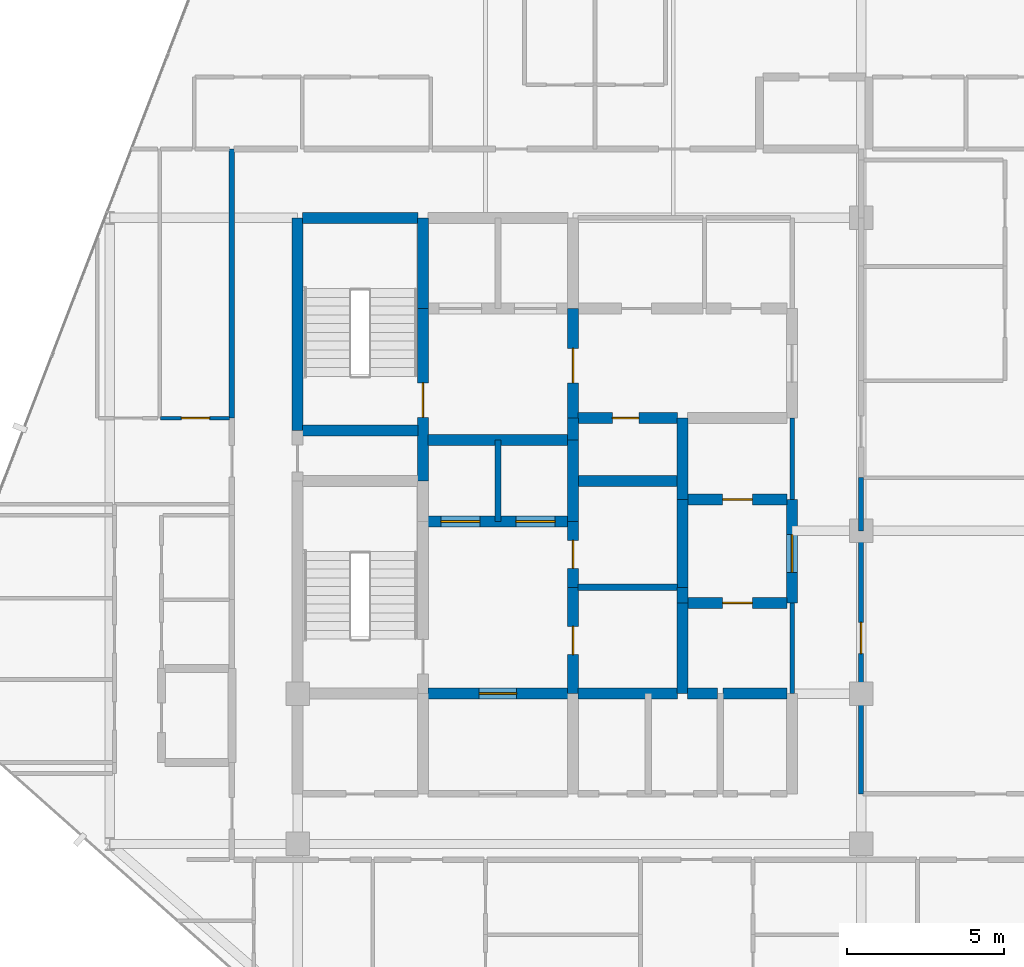
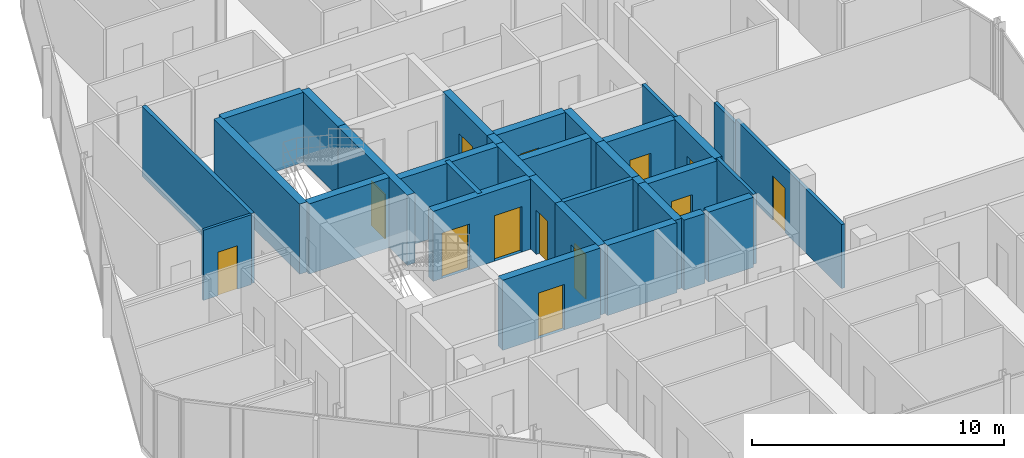
# One storey, part 24 of 28: 33 walls, 13 doors, 13 openings.
"""IFC4 building model written with IfcOpenShell, lengths in metres."""

from ifc_helpers import new_model, si_unit, direction, frame, frame_2d, origin, place, context, subcontext, project, spatial, rectangle, extrude, material, layer, layer_set, type_object, element, fill, save


model = new_model("IFC4")

# Units and contexts
model_context = context("Model", 3, precision=1e-05, world=origin(), true_north=direction((0.0, 1.0)))
body_context = subcontext(model_context, "Body", "Model", "MODEL_VIEW")
ifc_project = project(units=[si_unit("LENGTHUNIT", "METRE"), si_unit("AREAUNIT", "SQUARE_METRE"), si_unit("VOLUMEUNIT", "CUBIC_METRE"), si_unit("PLANEANGLEUNIT", "RADIAN"), si_unit("MASSUNIT", "GRAM", prefix="KILO")], contexts=[model_context])

# Site, building, storey
site_placement = place(None, origin())
site = spatial("IfcSite", under=ifc_project, at=site_placement, CompositionType="ELEMENT")
building_placement = place(site_placement, origin())
building = spatial("IfcBuilding", under=site, at=building_placement, Name="Keshet Zoharim Tower", CompositionType="ELEMENT")
storey_placement = place(building_placement, frame((0.0, 0.0, 258.39990234375)))
storey = spatial("IfcBuildingStorey", under=building, at=storey_placement, Name="L64", CompositionType="ELEMENT", Elevation=258.39990234375)

# Walls
ifc_material_1 = material(Name="Gypsum Plasterboard", Category="gypsum")
ifc_layer_1 = layer(ifc_material_1, 0.14990234375)
ifc_layer_set_1 = layer_set([ifc_layer_1], Name="Gypsum Plasterboard")
wall_type_1 = type_object("IfcWallType", Name="WL-CLIN-150", PredefinedType="STANDARD", material=ifc_layer_set_1)
wall_1_placement = place(storey_placement, frame((30.800048828125, 22.699951171875, 0.0), z_axis=(0.0, 0.0, 1.0), x_axis=(0.0, 1.0, 0.0)))
element("IfcWall", 1, at=wall_1_placement, inside=storey, type_object=wall_type_1, Name="L64 Interior Wall 068", PredefinedType="STANDARD", context=body_context, shape_type="SweptSolid", body=[
    extrude(rectangle(XDim=2.900146484375, YDim=0.14990234375, at=frame_2d((1.4501953125, 0.0))), origin(), (0.0, 0.0, 1.0), 3.39013671875),
])
wall_2_placement = place(storey_placement, frame((30.800048828125, 28.89990234375, 0.0), z_axis=(0.0, 0.0, 1.0), x_axis=(0.0, 1.0, 0.0)))
element("IfcWall", 2, at=wall_2_placement, inside=storey, type_object=wall_type_1, Name="L64 Interior Wall 070", PredefinedType="STANDARD", context=body_context, shape_type="SweptSolid", body=[
    extrude(rectangle(XDim=2.60009765625, YDim=0.14990234375, at=frame_2d((1.300048828125, 0.0))), origin(), (0.0, 0.0, 1.0), 3.39013671875),
])

# Wall, opening, door
wall_3_placement = place(storey_placement, frame((33.0, 19.5, 0.0), z_axis=(0.0, 0.0, 1.0), x_axis=(0.0, 1.0, 0.0)))
wall_3 = element("IfcWall", 3, at=wall_3_placement, inside=storey, type_object=wall_type_1, Name="L64 Interior Wall 074", PredefinedType="STANDARD", context=body_context, shape_type="SweptSolid", body=[
    extrude(rectangle(XDim=8.39990234375, YDim=0.14990234375, at=frame_2d((4.199951171875, 0.0))), origin(), (0.0, 0.0, 1.0), 3.10009765625),
])
opening_1_placement = place(wall_3_placement, frame((4.47998046875, 0.0, 0.0)))
opening_1 = element("IfcOpeningElement", 4, at=opening_1_placement, cuts=wall_3, Name="Opening D-F310", PredefinedType="OPENING", context=body_context, shape_type="SweptSolid", body=[
    extrude(rectangle(XDim=1.0, YDim=2.14990234375, at=frame_2d((0.5, 1.074951171875))), frame((0.0, 0.0849609375, 0.0), z_axis=(0.0, -1.0, 0.0), x_axis=(1.0, 0.0, 0.0)), (0.0, 0.0, 1.0), 0.169921875),
])
ifc_material_2 = material(Name="Hardwood Timber", Category="wood")
door_type_1 = type_object("IfcDoorType", Name="DR-FD30-100", OperationType="NOTDEFINED", PredefinedType="DOOR", material=ifc_material_2)
door_1_placement = place(opening_1_placement, origin())
door_1 = element("IfcDoor", 5, at=door_1_placement, inside=storey, type_object=door_type_1, Name="L64 South West Residents Services Suite Door 1", OperationType="SINGLE_SWING_RIGHT", OverallHeight=2.14990234375, OverallWidth=1.0, PredefinedType="DOOR", context=body_context, shape_type="SweptSolid", body=[
    extrude(rectangle(XDim=1.0, YDim=2.14990234375, at=frame_2d((0.5, 1.074951171875))), frame((0.0, 0.02490234375, 0.0), z_axis=(0.0, -1.0, 0.0), x_axis=(1.0, 0.0, 0.0)), (0.0, 0.0, 1.0), 0.050048828125),
])
fill(opening_1, door_1)

# Walls
wall_4_placement = place(storey_placement, frame((33.0, 27.89990234375, 0.0), z_axis=(0.0, 0.0, 1.0), x_axis=(0.0, 1.0, 0.0)))
element("IfcWall", 6, at=wall_4_placement, inside=storey, type_object=wall_type_1, Name="L64 Interior Wall 074 Part 2", PredefinedType="STANDARD", context=body_context, shape_type="SweptSolid", body=[
    extrude(rectangle(XDim=1.7001953125, YDim=0.14990234375, at=frame_2d((0.85009765625, 0.0))), origin(), (0.0, 0.0, 1.0), 2.89013671875),
])
ifc_material_3 = material(Name="Concrete C60/75", Category="concrete")
ifc_layer_2 = layer(ifc_material_3, 0.35009765625)
ifc_layer_set_2 = layer_set([ifc_layer_2], Name="Concrete C60/75")
wall_type_2 = type_object("IfcWallType", Name="WL-CORE-350", PredefinedType="SHEAR", material=ifc_layer_set_2)
wall_5_placement = place(storey_placement, frame((15.0, 31.10009765625, 0.0), z_axis=(0.0, 0.0, 1.0), x_axis=(0.0, 1.0, 0.0)))
element("IfcWall", 7, at=wall_5_placement, inside=storey, type_object=wall_type_2, Name="L64 Core Shear Wall 023", PredefinedType="SHEAR", context=body_context, shape_type="SweptSolid", body=[
    extrude(rectangle(XDim=6.7998046875, YDim=0.35009765625, at=frame_2d((3.39990234375, 0.0))), origin(), (0.0, 0.0, 1.0), 3.39013671875),
])

# Wall, opening, door
wall_6_placement = place(storey_placement, frame((19.0, 29.5, 0.0), z_axis=(0.0, 0.0, 1.0), x_axis=(0.0, 1.0, 0.0)))
wall_6 = element("IfcWall", 8, at=wall_6_placement, inside=storey, type_object=wall_type_2, Name="L64 Core Shear Wall 030", PredefinedType="SHEAR", context=body_context, shape_type="SweptSolid", body=[
    extrude(rectangle(XDim=5.5, YDim=0.35009765625, at=frame_2d((2.75, 0.0))), origin(), (0.0, 0.0, 1.0), 3.39013671875),
])
opening_2_placement = place(wall_6_placement, frame((2.02490234375, 0.0, 0.0)))
opening_2 = element("IfcOpeningElement", 9, at=opening_2_placement, cuts=wall_6, Name="Opening D-F611", PredefinedType="OPENING", context=body_context, shape_type="SweptSolid", body=[
    extrude(rectangle(XDim=1.10009765625, YDim=2.14990234375, at=frame_2d((0.550048828125, 1.074951171875))), frame((0.0, 0.18505859375, 0.0), z_axis=(0.0, -1.0, 0.0), x_axis=(1.0, 0.0, 0.0)), (0.0, 0.0, 1.0), 0.3701171875),
])
door_type_2 = type_object("IfcDoorType", Name="DR-FD60-110", OperationType="NOTDEFINED", PredefinedType="DOOR", material=ifc_material_2)
door_2_placement = place(opening_2_placement, origin())
door_2 = element("IfcDoor", 10, at=door_2_placement, inside=storey, type_object=door_type_2, Name="L64 Exit Stair ST-02 Fire Door", OperationType="SINGLE_SWING_RIGHT", OverallHeight=2.14990234375, OverallWidth=1.10009765625, PredefinedType="DOOR", context=body_context, shape_type="SweptSolid", body=[
    extrude(rectangle(XDim=1.10009765625, YDim=2.14990234375, at=frame_2d((0.550048828125, 1.074951171875))), frame((0.0, 0.02490234375, 0.0), z_axis=(0.0, -1.0, 0.0), x_axis=(1.0, 0.0, 0.0)), (0.0, 0.0, 1.0), 0.050048828125),
])
fill(opening_2, door_2)

# Wall
wall_7_placement = place(storey_placement, frame((19.0, 35.0, 0.0), z_axis=(0.0, 0.0, 1.0), x_axis=(0.0, 1.0, 0.0)))
element("IfcWall", 11, at=wall_7_placement, inside=storey, type_object=wall_type_2, Name="L64 Core Shear Wall 031", PredefinedType="SHEAR", context=body_context, shape_type="SweptSolid", body=[
    extrude(rectangle(XDim=2.89990234375, YDim=0.35009765625, at=frame_2d((1.449951171875, 0.0))), origin(), (0.0, 0.0, 1.0), 3.39013671875),
])

# Wall, opening, door
wall_8_placement = place(storey_placement, frame((23.800048828125, 22.699951171875, 0.0), z_axis=(0.0, 0.0, 1.0), x_axis=(0.0, 1.0, 0.0)))
wall_8 = element("IfcWall", 12, at=wall_8_placement, inside=storey, type_object=wall_type_2, Name="L64 Core Shear Wall 042", PredefinedType="SHEAR", context=body_context, shape_type="SweptSolid", body=[
    extrude(rectangle(XDim=3.400146484375, YDim=0.35009765625, at=frame_2d((1.7001953125, 0.0))), origin(), (0.0, 0.0, 1.0), 3.39013671875),
])
opening_3_placement = place(wall_8_placement, frame((1.25, 0.0, 0.0)))
opening_3 = element("IfcOpeningElement", 13, at=opening_3_placement, cuts=wall_8, Name="Opening D-F690", PredefinedType="OPENING", context=body_context, shape_type="SweptSolid", body=[
    extrude(rectangle(XDim=0.89990234375, YDim=2.14990234375, at=frame_2d((0.449951171875, 1.074951171875))), frame((0.0, 0.18505859375, 0.0), z_axis=(0.0, -1.0, 0.0), x_axis=(1.0, 0.0, 0.0)), (0.0, 0.0, 1.0), 0.3701171875),
])
door_type_3 = type_object("IfcDoorType", Name="DR-FD60-090", OperationType="NOTDEFINED", PredefinedType="DOOR", material=ifc_material_2)
door_3_placement = place(opening_3_placement, origin())
door_3 = element("IfcDoor", 14, at=door_3_placement, inside=storey, type_object=door_type_3, Name="L64 Core Linen Store Door", OperationType="SINGLE_SWING_LEFT", OverallHeight=2.14990234375, OverallWidth=0.89990234375, PredefinedType="DOOR", context=body_context, shape_type="SweptSolid", body=[
    extrude(rectangle(XDim=0.89990234375, YDim=2.14990234375, at=frame_2d((0.449951171875, 1.074951171875))), frame((0.0, 0.02490234375, 0.0), z_axis=(0.0, -1.0, 0.0), x_axis=(1.0, 0.0, 0.0)), (0.0, 0.0, 1.0), 0.050048828125),
])
fill(opening_3, door_3)

wall_9_placement = place(storey_placement, frame((23.800048828125, 26.10009765625, 0.0), z_axis=(0.0, 0.0, 1.0), x_axis=(0.0, 1.0, 0.0)))
wall_9 = element("IfcWall", 15, at=wall_9_placement, inside=storey, type_object=wall_type_2, Name="L64 Core Shear Wall 043", PredefinedType="SHEAR", context=body_context, shape_type="SweptSolid", body=[
    extrude(rectangle(XDim=2.099853515625, YDim=0.35009765625, at=frame_2d((1.0498046875, 0.0))), origin(), (0.0, 0.0, 1.0), 3.39013671875),
])
opening_4_placement = place(wall_9_placement, frame((0.60009765625, 0.0, 0.0)))
opening_4 = element("IfcOpeningElement", 16, at=opening_4_placement, cuts=wall_9, Name="Opening D-F690", PredefinedType="OPENING", context=body_context, shape_type="SweptSolid", body=[
    extrude(rectangle(XDim=0.89990234375, YDim=2.14990234375, at=frame_2d((0.449951171875, 1.074951171875))), frame((0.0, 0.18505859375, 0.0), z_axis=(0.0, -1.0, 0.0), x_axis=(1.0, 0.0, 0.0)), (0.0, 0.0, 1.0), 0.3701171875),
])
door_4_placement = place(opening_4_placement, origin())
door_4 = element("IfcDoor", 17, at=door_4_placement, inside=storey, type_object=door_type_3, Name="L64 Core Electrical Room Door", OperationType="SINGLE_SWING_RIGHT", OverallHeight=2.14990234375, OverallWidth=0.89990234375, PredefinedType="DOOR", context=body_context, shape_type="SweptSolid", body=[
    extrude(rectangle(XDim=0.89990234375, YDim=2.14990234375, at=frame_2d((0.449951171875, 1.074951171875))), frame((0.0, 0.02490234375, 0.0), z_axis=(0.0, -1.0, 0.0), x_axis=(1.0, 0.0, 0.0)), (0.0, 0.0, 1.0), 0.050048828125),
])
fill(opening_4, door_4)

# Walls
wall_10_placement = place(storey_placement, frame((23.800048828125, 28.199951171875, 0.0), z_axis=(0.0, 0.0, 1.0), x_axis=(0.0, 1.0, 0.0)))
element("IfcWall", 18, at=wall_10_placement, inside=storey, type_object=wall_type_2, Name="L64 Core Shear Wall 044", PredefinedType="SHEAR", context=body_context, shape_type="SweptSolid", body=[
    extrude(rectangle(XDim=2.60009765625, YDim=0.35009765625, at=frame_2d((1.300048828125, 0.0))), origin(), (0.0, 0.0, 1.0), 3.39013671875),
])
wall_11_placement = place(storey_placement, frame((23.800048828125, 30.800048828125, 0.0), z_axis=(0.0, 0.0, 1.0), x_axis=(0.0, 1.0, 0.0)))
element("IfcWall", 19, at=wall_11_placement, inside=storey, type_object=wall_type_2, Name="L64 Core Shear Wall 045", PredefinedType="SHEAR", context=body_context, shape_type="SweptSolid", body=[
    extrude(rectangle(XDim=0.699951171875, YDim=0.35009765625, at=frame_2d((0.35009765625, 0.0))), origin(), (0.0, 0.0, 1.0), 3.39013671875),
])

# Wall, opening, door
wall_12_placement = place(storey_placement, frame((23.800048828125, 31.5, 0.0), z_axis=(0.0, 0.0, 1.0), x_axis=(0.0, 1.0, 0.0)))
wall_12 = element("IfcWall", 20, at=wall_12_placement, inside=storey, type_object=wall_type_2, Name="L64 Core Shear Wall 046", PredefinedType="SHEAR", context=body_context, shape_type="SweptSolid", body=[
    extrude(rectangle(XDim=3.5, YDim=0.35009765625, at=frame_2d((1.75, 0.0))), origin(), (0.0, 0.0, 1.0), 3.39013671875),
])
opening_5_placement = place(wall_12_placement, frame((1.126953125, 0.0, 0.0)))
opening_5 = element("IfcOpeningElement", 21, at=opening_5_placement, cuts=wall_12, Name="Opening D-F611", PredefinedType="OPENING", context=body_context, shape_type="SweptSolid", body=[
    extrude(rectangle(XDim=1.10009765625, YDim=2.14990234375, at=frame_2d((0.550048828125, 1.074951171875))), frame((0.0, 0.18505859375, 0.0), z_axis=(0.0, -1.0, 0.0), x_axis=(1.0, 0.0, 0.0)), (0.0, 0.0, 1.0), 0.3701171875),
])
door_5_placement = place(opening_5_placement, origin())
door_5 = element("IfcDoor", 22, at=door_5_placement, inside=storey, type_object=door_type_2, Name="L64 Firefighting Lobby Fire Door", OperationType="SINGLE_SWING_LEFT", OverallHeight=2.14990234375, OverallWidth=1.10009765625, PredefinedType="DOOR", context=body_context, shape_type="SweptSolid", body=[
    extrude(rectangle(XDim=1.10009765625, YDim=2.14990234375, at=frame_2d((0.550048828125, 1.074951171875))), frame((0.0, 0.02490234375, 0.0), z_axis=(0.0, -1.0, 0.0), x_axis=(1.0, 0.0, 0.0)), (0.0, 0.0, 1.0), 0.050048828125),
])
fill(opening_5, door_5)

# Walls
wall_13_placement = place(storey_placement, frame((27.300048828125, 22.699951171875, 0.0), z_axis=(0.0, 0.0, 1.0), x_axis=(0.0, 1.0, 0.0)))
element("IfcWall", 23, at=wall_13_placement, inside=storey, type_object=wall_type_2, Name="L64 Core Shear Wall 055", PredefinedType="SHEAR", context=body_context, shape_type="SweptSolid", body=[
    extrude(rectangle(XDim=2.900146484375, YDim=0.35009765625, at=frame_2d((1.4501953125, 0.0))), origin(), (0.0, 0.0, 1.0), 3.39013671875),
])
wall_14_placement = place(storey_placement, frame((27.300048828125, 25.60009765625, 0.0), z_axis=(0.0, 0.0, 1.0), x_axis=(0.0, 1.0, 0.0)))
element("IfcWall", 24, at=wall_14_placement, inside=storey, type_object=wall_type_2, Name="L64 Core Shear Wall 056", PredefinedType="SHEAR", context=body_context, shape_type="SweptSolid", body=[
    extrude(rectangle(XDim=0.5, YDim=0.35009765625, at=frame_2d((0.25, 0.0))), origin(), (0.0, 0.0, 1.0), 3.39013671875),
])
wall_15_placement = place(storey_placement, frame((27.300048828125, 26.10009765625, 0.0), z_axis=(0.0, 0.0, 1.0), x_axis=(0.0, 1.0, 0.0)))
element("IfcWall", 25, at=wall_15_placement, inside=storey, type_object=wall_type_2, Name="L64 Core Shear Wall 057", PredefinedType="SHEAR", context=body_context, shape_type="SweptSolid", body=[
    extrude(rectangle(XDim=2.7998046875, YDim=0.35009765625, at=frame_2d((1.39990234375, 0.0))), origin(), (0.0, 0.0, 1.0), 3.39013671875),
])
wall_16_placement = place(storey_placement, frame((27.300048828125, 28.89990234375, 0.0), z_axis=(0.0, 0.0, 1.0), x_axis=(0.0, 1.0, 0.0)))
element("IfcWall", 26, at=wall_16_placement, inside=storey, type_object=wall_type_2, Name="L64 Core Shear Wall 058", PredefinedType="SHEAR", context=body_context, shape_type="SweptSolid", body=[
    extrude(rectangle(XDim=2.60009765625, YDim=0.35009765625, at=frame_2d((1.300048828125, 0.0))), origin(), (0.0, 0.0, 1.0), 3.39013671875),
])

# Wall, opening, door
wall_17_placement = place(storey_placement, frame((30.800048828125, 25.60009765625, 0.0), z_axis=(0.0, 0.0, 1.0), x_axis=(0.0, 1.0, 0.0)))
wall_17 = element("IfcWall", 27, at=wall_17_placement, inside=storey, type_object=wall_type_2, Name="L64 Core Shear Wall 069", PredefinedType="SHEAR", context=body_context, shape_type="SweptSolid", body=[
    extrude(rectangle(XDim=3.2998046875, YDim=0.35009765625, at=frame_2d((1.64990234375, 0.0))), origin(), (0.0, 0.0, 1.0), 3.39013671875),
])
opening_6_placement = place(wall_17_placement, frame((0.97802734375, 0.0, 0.0)))
opening_6 = element("IfcOpeningElement", 28, at=opening_6_placement, cuts=wall_17, Name="Opening D-F612", PredefinedType="OPENING", context=body_context, shape_type="SweptSolid", body=[
    extrude(rectangle(XDim=1.199951171875, YDim=2.199951171875, at=frame_2d((0.60009765625, 1.10009765625))), frame((0.0, 0.18505859375, 0.0), z_axis=(0.0, -1.0, 0.0), x_axis=(1.0, 0.0, 0.0)), (0.0, 0.0, 1.0), 0.3701171875),
])
door_type_4 = type_object("IfcDoorType", Name="DR-FD60-120", OperationType="NOTDEFINED", PredefinedType="DOOR", material=ifc_material_2)
door_6_placement = place(opening_6_placement, origin())
door_6 = element("IfcDoor", 29, at=door_6_placement, inside=storey, type_object=door_type_4, Name="L64 East Lift Lobby Fire Door", OperationType="SINGLE_SWING_RIGHT", OverallHeight=2.199951171875, OverallWidth=1.199951171875, PredefinedType="DOOR", context=body_context, shape_type="SweptSolid", body=[
    extrude(rectangle(XDim=1.199951171875, YDim=2.199951171875, at=frame_2d((0.60009765625, 1.10009765625))), frame((0.0, 0.02490234375, 0.0), z_axis=(0.0, -1.0, 0.0), x_axis=(1.0, 0.0, 0.0)), (0.0, 0.0, 1.0), 0.050048828125),
])
fill(opening_6, door_6)

wall_18_placement = place(storey_placement, frame((19.159912109375, 22.699951171875, 0.0), z_axis=(0.0, 0.0, 1.0), x_axis=(1.0, 0.0, 0.0)))
wall_18 = element("IfcWall", 30, at=wall_18_placement, inside=storey, type_object=wall_type_2, Name="L64 Core Shear Wall 124", PredefinedType="SHEAR", context=body_context, shape_type="SweptSolid", body=[
    extrude(rectangle(XDim=4.47998046875, YDim=0.35009765625, at=frame_2d((2.239990234375, 0.0))), origin(), (0.0, 0.0, 1.0), 3.39013671875),
])
opening_7_placement = place(wall_18_placement, frame((1.639892578125, 0.0, 0.0)))
opening_7 = element("IfcOpeningElement", 31, at=opening_7_placement, cuts=wall_18, Name="Opening D-F612", PredefinedType="OPENING", context=body_context, shape_type="SweptSolid", body=[
    extrude(rectangle(XDim=1.199951171875, YDim=2.199951171875, at=frame_2d((0.60009765625, 1.10009765625))), frame((0.0, 0.18505859375, 0.0), z_axis=(0.0, -1.0, 0.0), x_axis=(1.0, 0.0, 0.0)), (0.0, 0.0, 1.0), 0.3701171875),
])
door_7_placement = place(opening_7_placement, origin())
door_7 = element("IfcDoor", 32, at=door_7_placement, inside=storey, type_object=door_type_4, Name="L64 South Core Lobby Fire Door", OperationType="SINGLE_SWING_RIGHT", OverallHeight=2.199951171875, OverallWidth=1.199951171875, PredefinedType="DOOR", context=body_context, shape_type="SweptSolid", body=[
    extrude(rectangle(XDim=1.199951171875, YDim=2.199951171875, at=frame_2d((0.60009765625, 1.10009765625))), frame((0.0, 0.02490234375, 0.0), z_axis=(0.0, -1.0, 0.0), x_axis=(1.0, 0.0, 0.0)), (0.0, 0.0, 1.0), 0.050048828125),
])
fill(opening_7, door_7)

# Walls
wall_19_placement = place(storey_placement, frame((23.9599609375, 22.699951171875, 0.0), z_axis=(0.0, 0.0, 1.0), x_axis=(1.0, 0.0, 0.0)))
element("IfcWall", 33, at=wall_19_placement, inside=storey, type_object=wall_type_2, Name="L64 Core Shear Wall 125", PredefinedType="SHEAR", context=body_context, shape_type="SweptSolid", body=[
    extrude(rectangle(XDim=3.179931640625, YDim=0.35009765625, at=frame_2d((1.58984375, 0.0))), origin(), (0.0, 0.0, 1.0), 3.39013671875),
])
wall_20_placement = place(storey_placement, frame((27.4599609375, 22.699951171875, 0.0), z_axis=(0.0, 0.0, 1.0), x_axis=(1.0, 0.0, 0.0)))
element("IfcWall", 34, at=wall_20_placement, inside=storey, type_object=wall_type_2, Name="L64 Core Shear Wall 126", PredefinedType="SHEAR", context=body_context, shape_type="SweptSolid", body=[
    extrude(rectangle(XDim=0.955078125, YDim=0.35009765625, at=frame_2d((0.4775390625, 0.0))), origin(), (0.0, 0.0, 1.0), 3.39013671875),
])
wall_21_placement = place(storey_placement, frame((28.5849609375, 22.699951171875, 0.0), z_axis=(0.0, 0.0, 1.0), x_axis=(1.0, 0.0, 0.0)))
element("IfcWall", 35, at=wall_21_placement, inside=storey, type_object=wall_type_2, Name="L64 Core Shear Wall 127", PredefinedType="SHEAR", context=body_context, shape_type="SweptSolid", body=[
    extrude(rectangle(XDim=2.054931640625, YDim=0.35009765625, at=frame_2d((1.02734375, 0.0))), origin(), (0.0, 0.0, 1.0), 3.39013671875),
])

# Wall, opening, door
wall_22_placement = place(storey_placement, frame((27.4599609375, 25.60009765625, 0.0), z_axis=(0.0, 0.0, 1.0), x_axis=(1.0, 0.0, 0.0)))
wall_22 = element("IfcWall", 36, at=wall_22_placement, inside=storey, type_object=wall_type_2, Name="L64 Core Shear Wall 130", PredefinedType="SHEAR", context=body_context, shape_type="SweptSolid", body=[
    extrude(rectangle(XDim=3.179931640625, YDim=0.35009765625, at=frame_2d((1.58984375, 0.0))), origin(), (0.0, 0.0, 1.0), 3.39013671875),
])
opening_8_placement = place(wall_22_placement, frame((1.114990234375, 0.0, 0.0)))
opening_8 = element("IfcOpeningElement", 37, at=opening_8_placement, cuts=wall_22, Name="Opening D-F695", PredefinedType="OPENING", context=body_context, shape_type="SweptSolid", body=[
    extrude(rectangle(XDim=0.949951171875, YDim=2.14990234375, at=frame_2d((0.47509765625, 1.074951171875))), frame((0.0, 0.18505859375, 0.0), z_axis=(0.0, -1.0, 0.0), x_axis=(1.0, 0.0, 0.0)), (0.0, 0.0, 1.0), 0.3701171875),
])
door_type_5 = type_object("IfcDoorType", Name="DR-FD60-095", OperationType="NOTDEFINED", PredefinedType="DOOR", material=ifc_material_2)
door_8_placement = place(opening_8_placement, origin())
door_8 = element("IfcDoor", 38, at=door_8_placement, inside=storey, type_object=door_type_5, Name="L64 Study Alcove Door", OperationType="SINGLE_SWING_LEFT", OverallHeight=2.14990234375, OverallWidth=0.949951171875, PredefinedType="DOOR", context=body_context, shape_type="SweptSolid", body=[
    extrude(rectangle(XDim=0.949951171875, YDim=2.14990234375, at=frame_2d((0.47509765625, 1.074951171875))), frame((0.0, 0.02490234375, 0.0), z_axis=(0.0, -1.0, 0.0), x_axis=(1.0, 0.0, 0.0)), (0.0, 0.0, 1.0), 0.050048828125),
])
fill(opening_8, door_8)

# Wall, openings, doors
wall_23_placement = place(storey_placement, frame((19.159912109375, 28.199951171875, 0.0), z_axis=(0.0, 0.0, 1.0), x_axis=(1.0, 0.0, 0.0)))
wall_23 = element("IfcWall", 39, at=wall_23_placement, inside=storey, type_object=wall_type_2, Name="L64 Core Shear Wall 134", PredefinedType="SHEAR", context=body_context, shape_type="SweptSolid", body=[
    extrude(rectangle(XDim=4.47998046875, YDim=0.35009765625, at=frame_2d((2.239990234375, 0.0))), origin(), (0.0, 0.0, 1.0), 3.39013671875),
])
opening_9_placement = place(wall_23_placement, frame((0.4150390625, 0.0, 0.0)))
opening_9 = element("IfcOpeningElement", 40, at=opening_9_placement, cuts=wall_23, Name="Opening LD-01", PredefinedType="OPENING", context=body_context, shape_type="SweptSolid", body=[
    extrude(rectangle(XDim=1.25, YDim=2.199951171875, at=frame_2d((0.625, 1.10009765625))), frame((0.0, 0.18505859375, 0.0), z_axis=(0.0, -1.0, 0.0), x_axis=(1.0, 0.0, 0.0)), (0.0, 0.0, 1.0), 0.3701171875),
])
opening_10_placement = place(wall_23_placement, frame((2.81494140625, 0.0, 0.0)))
opening_10 = element("IfcOpeningElement", 41, at=opening_10_placement, cuts=wall_23, Name="Opening LD-01", PredefinedType="OPENING", context=body_context, shape_type="SweptSolid", body=[
    extrude(rectangle(XDim=1.25, YDim=2.199951171875, at=frame_2d((0.625, 1.10009765625))), frame((0.0, 0.18505859375, 0.0), z_axis=(0.0, -1.0, 0.0), x_axis=(1.0, 0.0, 0.0)), (0.0, 0.0, 1.0), 0.3701171875),
])
ifc_material_4 = material(Name="Steel S355", Category="steel")
door_type_6 = type_object("IfcDoorType", Name="DR-LD01-125", OperationType="DOUBLE_DOOR_SLIDING", PredefinedType="DOOR", material=ifc_material_4)
door_9_placement = place(opening_9_placement, origin())
door_9 = element("IfcDoor", 42, at=door_9_placement, inside=storey, type_object=door_type_6, Name="L64 Passenger Lift Landing Door LF-09", OperationType="DOUBLE_DOOR_SLIDING", OverallHeight=2.199951171875, OverallWidth=1.25, PredefinedType="DOOR", context=body_context, shape_type="SweptSolid", body=[
    extrude(rectangle(XDim=1.25, YDim=2.199951171875, at=frame_2d((0.625, 1.10009765625))), frame((0.0, 0.02490234375, 0.0), z_axis=(0.0, -1.0, 0.0), x_axis=(1.0, 0.0, 0.0)), (0.0, 0.0, 1.0), 0.050048828125),
])
fill(opening_9, door_9)
door_10_placement = place(opening_10_placement, origin())
door_10 = element("IfcDoor", 43, at=door_10_placement, inside=storey, type_object=door_type_6, Name="L64 Passenger Lift Landing Door LF-10", OperationType="DOUBLE_DOOR_SLIDING", OverallHeight=2.199951171875, OverallWidth=1.25, PredefinedType="DOOR", context=body_context, shape_type="SweptSolid", body=[
    extrude(rectangle(XDim=1.25, YDim=2.199951171875, at=frame_2d((0.625, 1.10009765625))), frame((0.0, 0.02490234375, 0.0), z_axis=(0.0, -1.0, 0.0), x_axis=(1.0, 0.0, 0.0)), (0.0, 0.0, 1.0), 0.050048828125),
])
fill(opening_10, door_10)

# Wall, opening, door
wall_24_placement = place(storey_placement, frame((27.4599609375, 28.89990234375, 0.0), z_axis=(0.0, 0.0, 1.0), x_axis=(1.0, 0.0, 0.0)))
wall_24 = element("IfcWall", 44, at=wall_24_placement, inside=storey, type_object=wall_type_2, Name="L64 Core Shear Wall 139", PredefinedType="SHEAR", context=body_context, shape_type="SweptSolid", body=[
    extrude(rectangle(XDim=3.179931640625, YDim=0.35009765625, at=frame_2d((1.58984375, 0.0))), origin(), (0.0, 0.0, 1.0), 3.39013671875),
])
opening_11_placement = place(wall_24_placement, frame((1.114990234375, 0.0, 0.0)))
opening_11 = element("IfcOpeningElement", 45, at=opening_11_placement, cuts=wall_24, Name="Opening D-F695", PredefinedType="OPENING", context=body_context, shape_type="SweptSolid", body=[
    extrude(rectangle(XDim=0.949951171875, YDim=2.14990234375, at=frame_2d((0.47509765625, 1.074951171875))), frame((0.0, 0.18505859375, 0.0), z_axis=(0.0, -1.0, 0.0), x_axis=(1.0, 0.0, 0.0)), (0.0, 0.0, 1.0), 0.3701171875),
])
door_11_placement = place(opening_11_placement, frame((0.949951171875, 0.0, 0.0), z_axis=(0.0, 0.0, 1.0), x_axis=(-1.0, 0.0, 0.0)))
door_11 = element("IfcDoor", 46, at=door_11_placement, inside=storey, type_object=door_type_5, Name="L64 Parcel Store Door", OperationType="SINGLE_SWING_RIGHT", OverallHeight=2.14990234375, OverallWidth=0.949951171875, PredefinedType="DOOR", context=body_context, shape_type="SweptSolid", body=[
    extrude(rectangle(XDim=0.949951171875, YDim=2.14990234375, at=frame_2d((0.47509765625, 1.074951171875))), frame((0.0, 0.02490234375, 0.0), z_axis=(0.0, -1.0, 0.0), x_axis=(1.0, 0.0, 0.0)), (0.0, 0.0, 1.0), 0.050048828125),
])
fill(opening_11, door_11)

# Walls
wall_25_placement = place(storey_placement, frame((23.9599609375, 29.5, 0.0), z_axis=(0.0, 0.0, 1.0), x_axis=(1.0, 0.0, 0.0)))
element("IfcWall", 47, at=wall_25_placement, inside=storey, type_object=wall_type_2, Name="L64 Core Shear Wall 141", PredefinedType="SHEAR", context=body_context, shape_type="SweptSolid", body=[
    extrude(rectangle(XDim=3.179931640625, YDim=0.35009765625, at=frame_2d((1.58984375, 0.0))), origin(), (0.0, 0.0, 1.0), 3.39013671875),
])
wall_26_placement = place(storey_placement, frame((19.159912109375, 30.800048828125, 0.0), z_axis=(0.0, 0.0, 1.0), x_axis=(1.0, 0.0, 0.0)))
element("IfcWall", 48, at=wall_26_placement, inside=storey, type_object=wall_type_2, Name="L64 Core Shear Wall 143", PredefinedType="SHEAR", context=body_context, shape_type="SweptSolid", body=[
    extrude(rectangle(XDim=4.47998046875, YDim=0.35009765625, at=frame_2d((2.239990234375, 0.0))), origin(), (0.0, 0.0, 1.0), 3.39013671875),
])
wall_27_placement = place(storey_placement, frame((15.159912109375, 31.10009765625, 0.0), z_axis=(0.0, 0.0, 1.0), x_axis=(1.0, 0.0, 0.0)))
element("IfcWall", 49, at=wall_27_placement, inside=storey, type_object=wall_type_2, Name="L64 Core Shear Wall 144", PredefinedType="SHEAR", context=body_context, shape_type="SweptSolid", body=[
    extrude(rectangle(XDim=3.68017578125, YDim=0.35009765625, at=frame_2d((1.840087890625, 0.0))), origin(), (0.0, 0.0, 1.0), 3.39013671875),
])

# Wall, opening, door
wall_28_placement = place(storey_placement, frame((23.9599609375, 31.5, 0.0), z_axis=(0.0, 0.0, 1.0), x_axis=(1.0, 0.0, 0.0)))
wall_28 = element("IfcWall", 50, at=wall_28_placement, inside=storey, type_object=wall_type_2, Name="L64 Core Shear Wall 147", PredefinedType="SHEAR", context=body_context, shape_type="SweptSolid", body=[
    extrude(rectangle(XDim=3.179931640625, YDim=0.35009765625, at=frame_2d((1.58984375, 0.0))), origin(), (0.0, 0.0, 1.0), 3.39013671875),
])
opening_12_placement = place(wall_28_placement, frame((1.093994140625, 0.0, 0.0)))
opening_12 = element("IfcOpeningElement", 51, at=opening_12_placement, cuts=wall_28, Name="Opening D-RS85", PredefinedType="OPENING", context=body_context, shape_type="SweptSolid", body=[
    extrude(rectangle(XDim=0.85009765625, YDim=2.10009765625, at=frame_2d((0.425048828125, 1.050048828125))), frame((0.0, 0.18505859375, 0.0), z_axis=(0.0, -1.0, 0.0), x_axis=(1.0, 0.0, 0.0)), (0.0, 0.0, 1.0), 0.3701171875),
])
door_type_7 = type_object("IfcDoorType", Name="DR-RIS-085", OperationType="NOTDEFINED", PredefinedType="DOOR", material=ifc_material_2)
door_12_placement = place(opening_12_placement, origin())
door_12 = element("IfcDoor", 52, at=door_12_placement, inside=storey, type_object=door_type_7, Name="L64 Telecom Riser Access Cupboard Door", OperationType="SINGLE_SWING_LEFT", OverallHeight=2.10009765625, OverallWidth=0.85009765625, PredefinedType="DOOR", context=body_context, shape_type="SweptSolid", body=[
    extrude(rectangle(XDim=0.85009765625, YDim=2.10009765625, at=frame_2d((0.425048828125, 1.050048828125))), frame((0.0, 0.02490234375, 0.0), z_axis=(0.0, -1.0, 0.0), x_axis=(1.0, 0.0, 0.0)), (0.0, 0.0, 1.0), 0.050048828125),
])
fill(opening_12, door_12)

# Walls
wall_29_placement = place(storey_placement, frame((15.159912109375, 37.89990234375, 0.0), z_axis=(0.0, 0.0, 1.0), x_axis=(1.0, 0.0, 0.0)))
element("IfcWall", 53, at=wall_29_placement, inside=storey, type_object=wall_type_2, Name="L64 Core Shear Wall 156", PredefinedType="SHEAR", context=body_context, shape_type="SweptSolid", body=[
    extrude(rectangle(XDim=3.68017578125, YDim=0.35009765625, at=frame_2d((1.840087890625, 0.0))), origin(), (0.0, 0.0, 1.0), 3.39013671875),
])
ifc_layer_3 = layer(ifc_material_1, 0.179931640625)
ifc_layer_set_3 = layer_set([ifc_layer_3], Name="Gypsum Plasterboard")
wall_type_3 = type_object("IfcWallType", Name="WL-CORR-180", PredefinedType="STANDARD", material=ifc_layer_set_3)
wall_30_placement = place(storey_placement, frame((12.89990234375, 31.5, 0.0), z_axis=(0.0, 0.0, 1.0), x_axis=(0.0, 1.0, 0.0)))
element("IfcWall", 54, at=wall_30_placement, inside=storey, type_object=wall_type_3, Name="L64 Interior Wall 016", PredefinedType="STANDARD", context=body_context, shape_type="SweptSolid", body=[
    extrude(rectangle(XDim=8.60009765625, YDim=0.179931640625, at=frame_2d((4.300048828125, 0.0))), origin(), (0.0, 0.0, 1.0), 3.39013671875),
])
ifc_material_5 = material(Name="Concrete C50/60", Category="concrete")
ifc_layer_4 = layer(ifc_material_5, 0.199951171875)
ifc_layer_set_4 = layer_set([ifc_layer_4], Name="Concrete C50/60")
wall_type_4 = type_object("IfcWallType", Name="WL-FIRE-200", PredefinedType="STANDARD", material=ifc_layer_set_4)
wall_31_placement = place(storey_placement, frame((21.39990234375, 28.199951171875, 0.0), z_axis=(0.0, 0.0, 1.0), x_axis=(0.0, 1.0, 0.0)))
element("IfcWall", 55, at=wall_31_placement, inside=storey, type_object=wall_type_4, Name="L64 Interior Wall 038", PredefinedType="STANDARD", context=body_context, shape_type="SweptSolid", body=[
    extrude(rectangle(XDim=2.60009765625, YDim=0.199951171875, at=frame_2d((1.300048828125, 0.0))), origin(), (0.0, 0.0, 1.0), 3.39013671875),
])
wall_32_placement = place(storey_placement, frame((23.9599609375, 26.10009765625, 0.0), z_axis=(0.0, 0.0, 1.0), x_axis=(1.0, 0.0, 0.0)))
element("IfcWall", 56, at=wall_32_placement, inside=storey, type_object=wall_type_4, Name="L64 Interior Wall 133", PredefinedType="STANDARD", context=body_context, shape_type="SweptSolid", body=[
    extrude(rectangle(XDim=3.179931640625, YDim=0.199951171875, at=frame_2d((1.58984375, 0.0))), origin(), (0.0, 0.0, 1.0), 3.39013671875),
])

# Wall, opening, door
ifc_layer_5 = layer(ifc_material_1, 0.1201171875)
ifc_layer_set_5 = layer_set([ifc_layer_5], Name="Gypsum Plasterboard")
wall_type_5 = type_object("IfcWallType", Name="WL-WET-120", PredefinedType="PARTITIONING", material=ifc_layer_set_5)
wall_33_placement = place(storey_placement, frame((10.623046875, 31.5, 0.0), z_axis=(0.0, 0.0, 1.0), x_axis=(1.0, 0.0, 0.0)))
wall_33 = element("IfcWall", 57, at=wall_33_placement, inside=storey, type_object=wall_type_5, Name="L64 Interior Wall 146", PredefinedType="PARTITIONING", context=body_context, shape_type="SweptSolid", body=[
    extrude(rectangle(XDim=2.201904296875, YDim=0.1201171875, at=frame_2d((1.10107421875, 0.0))), origin(), (0.0, 0.0, 1.0), 3.39013671875),
])
opening_13_placement = place(wall_33_placement, frame((0.666015625, 0.0, 0.0)))
opening_13 = element("IfcOpeningElement", 58, at=opening_13_placement, cuts=wall_33, Name="Opening D-WT90", PredefinedType="OPENING", context=body_context, shape_type="SweptSolid", body=[
    extrude(rectangle(XDim=0.89990234375, YDim=2.10009765625, at=frame_2d((0.449951171875, 1.050048828125))), frame((0.0, 0.070068359375, 0.0), z_axis=(0.0, -1.0, 0.0), x_axis=(1.0, 0.0, 0.0)), (0.0, 0.0, 1.0), 0.14013671875),
])
door_type_8 = type_object("IfcDoorType", Name="DR-WET-090", OperationType="NOTDEFINED", PredefinedType="DOOR", material=ifc_material_2)
door_13_placement = place(opening_13_placement, origin())
door_13 = element("IfcDoor", 59, at=door_13_placement, inside=storey, type_object=door_type_8, Name="Apartment 6408 Bathroom Door", OperationType="SINGLE_SWING_RIGHT", OverallHeight=2.10009765625, OverallWidth=0.89990234375, PredefinedType="DOOR", context=body_context, shape_type="SweptSolid", body=[
    extrude(rectangle(XDim=0.89990234375, YDim=2.10009765625, at=frame_2d((0.449951171875, 1.050048828125))), frame((0.0, 0.02490234375, 0.0), z_axis=(0.0, -1.0, 0.0), x_axis=(1.0, 0.0, 0.0)), (0.0, 0.0, 1.0), 0.050048828125),
])
fill(opening_13, door_13)

save(model, "model.ifc")
